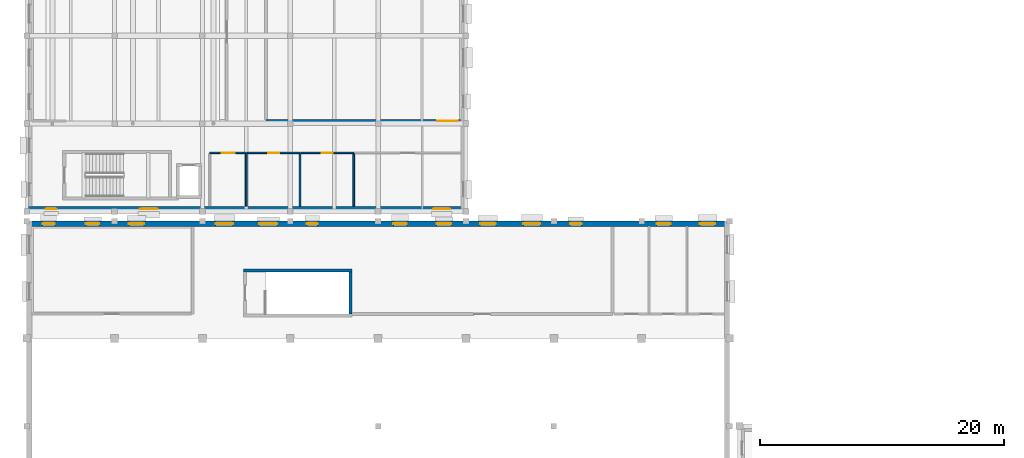
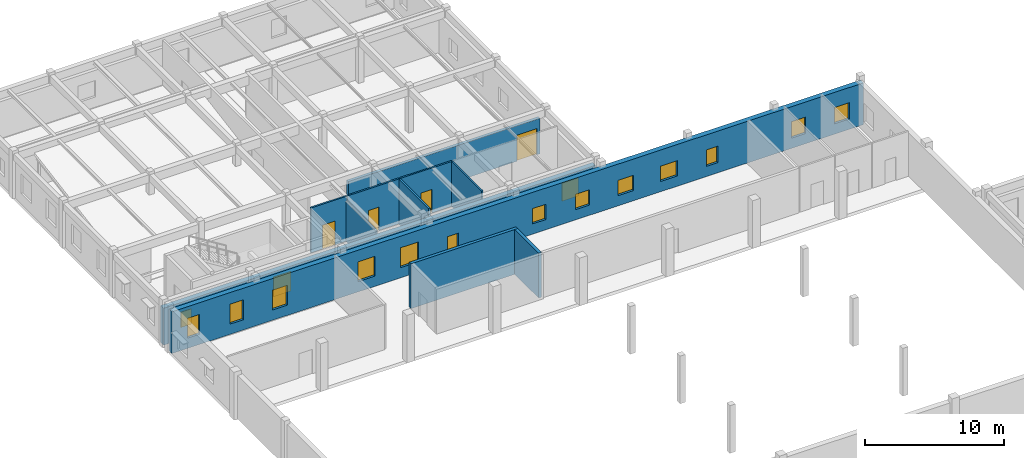
# One storey, part 27 of 49: 16 windows, 11 walls, 4 doors, 20 openings.
"""IFC4 building model written with IfcOpenShell, lengths in metres."""

from ifc_helpers import new_model, si_unit, direction, frame, frame_2d, origin, place, context, subcontext, project, spatial, rectangle, extrude, material, layer, layer_set, type_object, element, fill, save


model = new_model("IFC4")

# Units and contexts
model_context = context("Model", 3, precision=1e-05, world=origin(), true_north=direction((0.0, 1.0)))
body_context = subcontext(model_context, "Body", "Model", "MODEL_VIEW")
ifc_project = project(units=[si_unit("LENGTHUNIT", "METRE"), si_unit("AREAUNIT", "SQUARE_METRE"), si_unit("VOLUMEUNIT", "CUBIC_METRE"), si_unit("PLANEANGLEUNIT", "RADIAN"), si_unit("MASSUNIT", "GRAM", prefix="KILO")], contexts=[model_context])

# Site, building, storey
site_placement = place(None, origin())
site = spatial("IfcSite", under=ifc_project, at=site_placement, CompositionType="ELEMENT")
building_placement = place(site_placement, origin())
building = spatial("IfcBuilding", under=site, at=building_placement, Name="Bramveld Media Centre", CompositionType="ELEMENT")
storey_placement = place(building_placement, frame((0.0, 0.0, 9.60009765625)))
storey = spatial("IfcBuildingStorey", under=building, at=storey_placement, Name="L02", CompositionType="ELEMENT", Elevation=9.60009765625)

# Walls
ifc_material_1 = material(Name="Concrete C40/50 stair & lift core wall", Category="concrete")
ifc_layer_1 = layer(ifc_material_1, 0.25)
ifc_layer_set_1 = layer_set([ifc_layer_1], Name="Concrete C40/50 stair & lift core wall")
wall_type_1 = type_object("IfcWallType", Name="CWALL-SHEAR-250", PredefinedType="SHEAR", material=ifc_layer_set_1)
wall_1_placement = place(storey_placement, frame((26.64990234375, 34.375, 0.0), z_axis=(0.0, 0.0, 1.0), x_axis=(-1.0, 0.0, 0.0)))
element("IfcWall", 1, at=wall_1_placement, inside=storey, type_object=wall_type_1, Name="ST-05 L02 stair core shear wall N", PredefinedType="SHEAR", context=body_context, shape_type="SweptSolid", body=[
    extrude(rectangle(XDim=8.89990234375, YDim=0.25, at=frame_2d((4.449951171875, 0.0))), origin(), (0.0, 0.0, 1.0), 3.949951171875),
])
wall_2_placement = place(storey_placement, frame((26.52490234375, 30.800048828125, 0.0), z_axis=(0.0, 0.0, 1.0), x_axis=(0.0, 1.0, 0.0)))
element("IfcWall", 2, at=wall_2_placement, inside=storey, type_object=wall_type_1, Name="ST-05 L02 stair core shear wall E", PredefinedType="SHEAR", context=body_context, shape_type="SweptSolid", body=[
    extrude(rectangle(XDim=3.449951171875, YDim=0.25, at=frame_2d((1.72509765625, 0.0))), origin(), (0.0, 0.0, 1.0), 3.949951171875),
])

# Wall, openings, windows
ifc_material_2 = material(Name="Flemish red-brown clay facing brick cavity wall with concrete C35/45 inner leaf", Category="masonry")
ifc_layer_2 = layer(ifc_material_2, 0.419921875)
ifc_layer_set_2 = layer_set([ifc_layer_2], Name="Flemish red-brown clay facing brick cavity wall with concrete C35/45 inner leaf")
wall_type_2 = type_object("IfcWallType", Name="EW-BRK-420", PredefinedType="SOLIDWALL", material=ifc_layer_set_2)
wall_3_placement = place(storey_placement, frame((0.0, 38.18994140625, 0.0), z_axis=(0.0, 0.0, 1.0), x_axis=(1.0, 0.0, 0.0)))
wall_3 = element("IfcWall", 3, at=wall_3_placement, inside=storey, type_object=wall_type_2, Name="V2 L02 N facing brick exterior wall", PredefinedType="SOLIDWALL", context=body_context, shape_type="SweptSolid", body=[
    extrude(rectangle(XDim=57.60009765625, YDim=0.419921875, at=frame_2d((28.800048828125, 0.0))), origin(), (0.0, 0.0, 1.0), 3.6748046875),
])
opening_1_placement = place(wall_3_placement, frame((1.300048828125, 0.0, 0.89990234375)))
opening_1 = element("IfcOpeningElement", 4, at=opening_1_placement, cuts=wall_3, Name="Opening W-19", PredefinedType="OPENING", context=body_context, shape_type="SweptSolid", body=[
    extrude(rectangle(XDim=1.0, YDim=1.75, at=frame_2d((0.5, 0.875))), frame((0.0, 0.221923828125, 0.0), z_axis=(0.0, -1.0, 0.0), x_axis=(1.0, 0.0, 0.0)), (0.0, 0.0, 1.0), 0.44384765625),
])
opening_2_placement = place(wall_3_placement, frame((4.840087890625, 0.0, 0.89990234375)))
opening_2 = element("IfcOpeningElement", 5, at=opening_2_placement, cuts=wall_3, Name="Opening W-20", PredefinedType="OPENING", context=body_context, shape_type="SweptSolid", body=[
    extrude(rectangle(XDim=1.1201171875, YDim=1.75, at=frame_2d((0.56005859375, 0.875))), frame((0.0, 0.221923828125, 0.0), z_axis=(0.0, -1.0, 0.0), x_axis=(1.0, 0.0, 0.0)), (0.0, 0.0, 1.0), 0.44384765625),
])
opening_3_placement = place(wall_3_placement, frame((8.3798828125, 0.0, 0.89990234375)))
opening_3 = element("IfcOpeningElement", 6, at=opening_3_placement, cuts=wall_3, Name="Opening W-21", PredefinedType="OPENING", context=body_context, shape_type="SweptSolid", body=[
    extrude(rectangle(XDim=1.239990234375, YDim=1.75, at=frame_2d((0.6201171875, 0.875))), frame((0.0, 0.221923828125, 0.0), z_axis=(0.0, -1.0, 0.0), x_axis=(1.0, 0.0, 0.0)), (0.0, 0.0, 1.0), 0.44384765625),
])
opening_4_placement = place(wall_3_placement, frame((15.47998046875, 0.0, 0.89990234375)))
opening_4 = element("IfcOpeningElement", 7, at=opening_4_placement, cuts=wall_3, Name="Opening W-23", PredefinedType="OPENING", context=body_context, shape_type="SweptSolid", body=[
    extrude(rectangle(XDim=1.43994140625, YDim=1.75, at=frame_2d((0.719970703125, 0.875))), frame((0.0, 0.221923828125, 0.0), z_axis=(0.0, -1.0, 0.0), x_axis=(1.0, 0.0, 0.0)), (0.0, 0.0, 1.0), 0.44384765625),
])
opening_5_placement = place(wall_3_placement, frame((19.050048828125, 0.0, 0.89990234375)))
opening_5 = element("IfcOpeningElement", 8, at=opening_5_placement, cuts=wall_3, Name="Opening W-24", PredefinedType="OPENING", context=body_context, shape_type="SweptSolid", body=[
    extrude(rectangle(XDim=1.5, YDim=1.75, at=frame_2d((0.75, 0.875))), frame((0.0, 0.221923828125, 0.0), z_axis=(0.0, -1.0, 0.0), x_axis=(1.0, 0.0, 0.0)), (0.0, 0.0, 1.0), 0.44384765625),
])
opening_6_placement = place(wall_3_placement, frame((22.949951171875, 0.0, 0.89990234375)))
opening_6 = element("IfcOpeningElement", 9, at=opening_6_placement, cuts=wall_3, Name="Opening W-01", PredefinedType="OPENING", context=body_context, shape_type="SweptSolid", body=[
    extrude(rectangle(XDim=0.89990234375, YDim=1.35009765625, at=frame_2d((0.449951171875, 0.675048828125))), frame((0.0, 0.221923828125, 0.0), z_axis=(0.0, -1.0, 0.0), x_axis=(1.0, 0.0, 0.0)), (0.0, 0.0, 1.0), 0.44384765625),
])
opening_7_placement = place(wall_3_placement, frame((30.050048828125, 0.0, 0.89990234375)))
opening_7 = element("IfcOpeningElement", 10, at=opening_7_placement, cuts=wall_3, Name="Opening W-03", PredefinedType="OPENING", context=body_context, shape_type="SweptSolid", body=[
    extrude(rectangle(XDim=1.10009765625, YDim=1.35009765625, at=frame_2d((0.550048828125, 0.675048828125))), frame((0.0, 0.221923828125, 0.0), z_axis=(0.0, -1.0, 0.0), x_axis=(1.0, 0.0, 0.0)), (0.0, 0.0, 1.0), 0.44384765625),
])
opening_8_placement = place(wall_3_placement, frame((33.60009765625, 0.0, 0.89990234375)))
opening_8 = element("IfcOpeningElement", 11, at=opening_8_placement, cuts=wall_3, Name="Opening W-04", PredefinedType="OPENING", context=body_context, shape_type="SweptSolid", body=[
    extrude(rectangle(XDim=1.199951171875, YDim=1.35009765625, at=frame_2d((0.60009765625, 0.675048828125))), frame((0.0, 0.221923828125, 0.0), z_axis=(0.0, -1.0, 0.0), x_axis=(1.0, 0.0, 0.0)), (0.0, 0.0, 1.0), 0.44384765625),
])
opening_9_placement = place(wall_3_placement, frame((37.14990234375, 0.0, 0.89990234375)))
opening_9 = element("IfcOpeningElement", 12, at=opening_9_placement, cuts=wall_3, Name="Opening W-05", PredefinedType="OPENING", context=body_context, shape_type="SweptSolid", body=[
    extrude(rectangle(XDim=1.300048828125, YDim=1.35009765625, at=frame_2d((0.64990234375, 0.675048828125))), frame((0.0, 0.221923828125, 0.0), z_axis=(0.0, -1.0, 0.0), x_axis=(1.0, 0.0, 0.0)), (0.0, 0.0, 1.0), 0.44384765625),
])
opening_10_placement = place(wall_3_placement, frame((40.699951171875, 0.0, 0.89990234375)))
opening_10 = element("IfcOpeningElement", 13, at=opening_10_placement, cuts=wall_3, Name="Opening W-06", PredefinedType="OPENING", context=body_context, shape_type="SweptSolid", body=[
    extrude(rectangle(XDim=1.39990234375, YDim=1.35009765625, at=frame_2d((0.699951171875, 0.675048828125))), frame((0.0, 0.221923828125, 0.0), z_axis=(0.0, -1.0, 0.0), x_axis=(1.0, 0.0, 0.0)), (0.0, 0.0, 1.0), 0.44384765625),
])
opening_11_placement = place(wall_3_placement, frame((44.52490234375, 0.0, 0.89990234375)))
opening_11 = element("IfcOpeningElement", 14, at=opening_11_placement, cuts=wall_3, Name="Opening W-07", PredefinedType="OPENING", context=body_context, shape_type="SweptSolid", body=[
    extrude(rectangle(XDim=0.949951171875, YDim=1.449951171875, at=frame_2d((0.47509765625, 0.72509765625))), frame((0.0, 0.221923828125, 0.0), z_axis=(0.0, -1.0, 0.0), x_axis=(1.0, 0.0, 0.0)), (0.0, 0.0, 1.0), 0.44384765625),
])
opening_12_placement = place(wall_3_placement, frame((51.625, 0.0, 0.89990234375)))
opening_12 = element("IfcOpeningElement", 15, at=opening_12_placement, cuts=wall_3, Name="Opening W-09", PredefinedType="OPENING", context=body_context, shape_type="SweptSolid", body=[
    extrude(rectangle(XDim=1.14990234375, YDim=1.449951171875, at=frame_2d((0.574951171875, 0.72509765625))), frame((0.0, 0.221923828125, 0.0), z_axis=(0.0, -1.0, 0.0), x_axis=(1.0, 0.0, 0.0)), (0.0, 0.0, 1.0), 0.44384765625),
])
opening_13_placement = place(wall_3_placement, frame((55.175048828125, 0.0, 0.89990234375)))
opening_13 = element("IfcOpeningElement", 16, at=opening_13_placement, cuts=wall_3, Name="Opening W-10", PredefinedType="OPENING", context=body_context, shape_type="SweptSolid", body=[
    extrude(rectangle(XDim=1.25, YDim=1.449951171875, at=frame_2d((0.625, 0.72509765625))), frame((0.0, 0.221923828125, 0.0), z_axis=(0.0, -1.0, 0.0), x_axis=(1.0, 0.0, 0.0)), (0.0, 0.0, 1.0), 0.44384765625),
])
ifc_material_3 = material(Name="Thermally broken anodized bronze aluminium frame with triple acoustic glazing", Category="aluminium")
window_type_1 = type_object("IfcWindowType", Name="WIN-FAC-01", PartitioningType="SINGLE_PANEL", PredefinedType="WINDOW", material=ifc_material_3)
window_1_placement = place(opening_6_placement, origin())
window_1 = element("IfcWindow", 17, at=window_1_placement, inside=storey, type_object=window_type_1, Name="V2 L02 N acoustic facade window", OverallHeight=1.35009765625, OverallWidth=0.89990234375, PartitioningType="SINGLE_PANEL", PredefinedType="WINDOW", context=body_context, shape_type="SweptSolid", body=[
    extrude(rectangle(XDim=0.89990234375, YDim=1.35009765625, at=frame_2d((0.449951171875, 0.675048828125))), frame((0.0, 0.030029296875, 0.0), z_axis=(0.0, -1.0, 0.0), x_axis=(1.0, 0.0, 0.0)), (0.0, 0.0, 1.0), 0.06005859375),
])
fill(opening_6, window_1)
ifc_material_4 = material(Name="Thermally broken anodized bronze aluminium frame with triple acoustic glazing", Category="aluminium")
window_type_2 = type_object("IfcWindowType", Name="WIN-FAC-03", PartitioningType="SINGLE_PANEL", PredefinedType="WINDOW", material=ifc_material_4)
window_2_placement = place(opening_7_placement, origin())
window_2 = element("IfcWindow", 18, at=window_2_placement, inside=storey, type_object=window_type_2, Name="V2 L02 N acoustic facade window", OverallHeight=1.35009765625, OverallWidth=1.10009765625, PartitioningType="SINGLE_PANEL", PredefinedType="WINDOW", context=body_context, shape_type="SweptSolid", body=[
    extrude(rectangle(XDim=1.10009765625, YDim=1.35009765625, at=frame_2d((0.550048828125, 0.675048828125))), frame((0.0, 0.030029296875, 0.0), z_axis=(0.0, -1.0, 0.0), x_axis=(1.0, 0.0, 0.0)), (0.0, 0.0, 1.0), 0.06005859375),
])
fill(opening_7, window_2)
ifc_material_5 = material(Name="Thermally broken anodized bronze aluminium frame with triple acoustic glazing", Category="aluminium")
window_type_3 = type_object("IfcWindowType", Name="WIN-FAC-04", PartitioningType="SINGLE_PANEL", PredefinedType="WINDOW", material=ifc_material_5)
window_3_placement = place(opening_8_placement, origin())
window_3 = element("IfcWindow", 19, at=window_3_placement, inside=storey, type_object=window_type_3, Name="V2 L02 N acoustic facade window", OverallHeight=1.35009765625, OverallWidth=1.199951171875, PartitioningType="SINGLE_PANEL", PredefinedType="WINDOW", context=body_context, shape_type="SweptSolid", body=[
    extrude(rectangle(XDim=1.199951171875, YDim=1.35009765625, at=frame_2d((0.60009765625, 0.675048828125))), frame((0.0, 0.030029296875, 0.0), z_axis=(0.0, -1.0, 0.0), x_axis=(1.0, 0.0, 0.0)), (0.0, 0.0, 1.0), 0.06005859375),
])
fill(opening_8, window_3)
ifc_material_6 = material(Name="Thermally broken anodized bronze aluminium frame with triple acoustic glazing", Category="aluminium")
window_type_4 = type_object("IfcWindowType", Name="WIN-FAC-05", PartitioningType="SINGLE_PANEL", PredefinedType="WINDOW", material=ifc_material_6)
window_4_placement = place(opening_9_placement, origin())
window_4 = element("IfcWindow", 20, at=window_4_placement, inside=storey, type_object=window_type_4, Name="V2 L02 N acoustic facade window", OverallHeight=1.35009765625, OverallWidth=1.300048828125, PartitioningType="SINGLE_PANEL", PredefinedType="WINDOW", context=body_context, shape_type="SweptSolid", body=[
    extrude(rectangle(XDim=1.300048828125, YDim=1.35009765625, at=frame_2d((0.64990234375, 0.675048828125))), frame((0.0, 0.030029296875, 0.0), z_axis=(0.0, -1.0, 0.0), x_axis=(1.0, 0.0, 0.0)), (0.0, 0.0, 1.0), 0.06005859375),
])
fill(opening_9, window_4)
ifc_material_7 = material(Name="Thermally broken anodized bronze aluminium frame with triple acoustic glazing", Category="aluminium")
window_type_5 = type_object("IfcWindowType", Name="WIN-FAC-06", PartitioningType="SINGLE_PANEL", PredefinedType="WINDOW", material=ifc_material_7)
window_5_placement = place(opening_10_placement, origin())
window_5 = element("IfcWindow", 21, at=window_5_placement, inside=storey, type_object=window_type_5, Name="V2 L02 N acoustic facade window", OverallHeight=1.35009765625, OverallWidth=1.39990234375, PartitioningType="SINGLE_PANEL", PredefinedType="WINDOW", context=body_context, shape_type="SweptSolid", body=[
    extrude(rectangle(XDim=1.39990234375, YDim=1.35009765625, at=frame_2d((0.699951171875, 0.675048828125))), frame((0.0, 0.030029296875, 0.0), z_axis=(0.0, -1.0, 0.0), x_axis=(1.0, 0.0, 0.0)), (0.0, 0.0, 1.0), 0.06005859375),
])
fill(opening_10, window_5)
ifc_material_8 = material(Name="Thermally broken anodized bronze aluminium frame with triple acoustic glazing", Category="aluminium")
window_type_6 = type_object("IfcWindowType", Name="WIN-FAC-07", PartitioningType="SINGLE_PANEL", PredefinedType="WINDOW", material=ifc_material_8)
window_6_placement = place(opening_11_placement, origin())
window_6 = element("IfcWindow", 22, at=window_6_placement, inside=storey, type_object=window_type_6, Name="V2 L02 N acoustic facade window", OverallHeight=1.449951171875, OverallWidth=0.949951171875, PartitioningType="SINGLE_PANEL", PredefinedType="WINDOW", context=body_context, shape_type="SweptSolid", body=[
    extrude(rectangle(XDim=0.949951171875, YDim=1.449951171875, at=frame_2d((0.47509765625, 0.72509765625))), frame((0.0, 0.030029296875, 0.0), z_axis=(0.0, -1.0, 0.0), x_axis=(1.0, 0.0, 0.0)), (0.0, 0.0, 1.0), 0.06005859375),
])
fill(opening_11, window_6)
ifc_material_9 = material(Name="Thermally broken anodized bronze aluminium frame with triple acoustic glazing", Category="aluminium")
window_type_7 = type_object("IfcWindowType", Name="WIN-FAC-09", PartitioningType="SINGLE_PANEL", PredefinedType="WINDOW", material=ifc_material_9)
window_7_placement = place(opening_12_placement, origin())
window_7 = element("IfcWindow", 23, at=window_7_placement, inside=storey, type_object=window_type_7, Name="V2 L02 N acoustic facade window", OverallHeight=1.449951171875, OverallWidth=1.14990234375, PartitioningType="SINGLE_PANEL", PredefinedType="WINDOW", context=body_context, shape_type="SweptSolid", body=[
    extrude(rectangle(XDim=1.14990234375, YDim=1.449951171875, at=frame_2d((0.574951171875, 0.72509765625))), frame((0.0, 0.030029296875, 0.0), z_axis=(0.0, -1.0, 0.0), x_axis=(1.0, 0.0, 0.0)), (0.0, 0.0, 1.0), 0.06005859375),
])
fill(opening_12, window_7)
ifc_material_10 = material(Name="Thermally broken anodized bronze aluminium frame with triple acoustic glazing", Category="aluminium")
window_type_8 = type_object("IfcWindowType", Name="WIN-FAC-10", PartitioningType="SINGLE_PANEL", PredefinedType="WINDOW", material=ifc_material_10)
window_8_placement = place(opening_13_placement, origin())
window_8 = element("IfcWindow", 24, at=window_8_placement, inside=storey, type_object=window_type_8, Name="V2 L02 N acoustic facade window", OverallHeight=1.449951171875, OverallWidth=1.25, PartitioningType="SINGLE_PANEL", PredefinedType="WINDOW", context=body_context, shape_type="SweptSolid", body=[
    extrude(rectangle(XDim=1.25, YDim=1.449951171875, at=frame_2d((0.625, 0.72509765625))), frame((0.0, 0.030029296875, 0.0), z_axis=(0.0, -1.0, 0.0), x_axis=(1.0, 0.0, 0.0)), (0.0, 0.0, 1.0), 0.06005859375),
])
fill(opening_13, window_8)
ifc_material_11 = material(Name="Thermally broken anodized bronze aluminium frame with triple acoustic glazing", Category="aluminium")
window_type_9 = type_object("IfcWindowType", Name="WIN-FAC-19", PartitioningType="SINGLE_PANEL", PredefinedType="WINDOW", material=ifc_material_11)
window_9_placement = place(opening_1_placement, origin())
window_9 = element("IfcWindow", 25, at=window_9_placement, inside=storey, type_object=window_type_9, Name="V2 L02 N acoustic facade window", OverallHeight=1.75, OverallWidth=1.0, PartitioningType="SINGLE_PANEL", PredefinedType="WINDOW", context=body_context, shape_type="SweptSolid", body=[
    extrude(rectangle(XDim=1.0, YDim=1.75, at=frame_2d((0.5, 0.875))), frame((0.0, 0.030029296875, 0.0), z_axis=(0.0, -1.0, 0.0), x_axis=(1.0, 0.0, 0.0)), (0.0, 0.0, 1.0), 0.06005859375),
])
fill(opening_1, window_9)
ifc_material_12 = material(Name="Thermally broken anodized bronze aluminium frame with triple acoustic glazing", Category="aluminium")
window_type_10 = type_object("IfcWindowType", Name="WIN-FAC-20", PartitioningType="SINGLE_PANEL", PredefinedType="WINDOW", material=ifc_material_12)
window_10_placement = place(opening_2_placement, origin())
window_10 = element("IfcWindow", 26, at=window_10_placement, inside=storey, type_object=window_type_10, Name="V2 L02 N acoustic facade window", OverallHeight=1.75, OverallWidth=1.1201171875, PartitioningType="SINGLE_PANEL", PredefinedType="WINDOW", context=body_context, shape_type="SweptSolid", body=[
    extrude(rectangle(XDim=1.1201171875, YDim=1.75, at=frame_2d((0.56005859375, 0.875))), frame((0.0, 0.030029296875, 0.0), z_axis=(0.0, -1.0, 0.0), x_axis=(1.0, 0.0, 0.0)), (0.0, 0.0, 1.0), 0.06005859375),
])
fill(opening_2, window_10)
ifc_material_13 = material(Name="Thermally broken anodized bronze aluminium frame with triple acoustic glazing", Category="aluminium")
window_type_11 = type_object("IfcWindowType", Name="WIN-FAC-21", PartitioningType="SINGLE_PANEL", PredefinedType="WINDOW", material=ifc_material_13)
window_11_placement = place(opening_3_placement, origin())
window_11 = element("IfcWindow", 27, at=window_11_placement, inside=storey, type_object=window_type_11, Name="V2 L02 N acoustic facade window", OverallHeight=1.75, OverallWidth=1.239990234375, PartitioningType="SINGLE_PANEL", PredefinedType="WINDOW", context=body_context, shape_type="SweptSolid", body=[
    extrude(rectangle(XDim=1.239990234375, YDim=1.75, at=frame_2d((0.6201171875, 0.875))), frame((0.0, 0.030029296875, 0.0), z_axis=(0.0, -1.0, 0.0), x_axis=(1.0, 0.0, 0.0)), (0.0, 0.0, 1.0), 0.06005859375),
])
fill(opening_3, window_11)
ifc_material_14 = material(Name="Thermally broken anodized bronze aluminium frame with triple acoustic glazing", Category="aluminium")
window_type_12 = type_object("IfcWindowType", Name="WIN-FAC-23", PartitioningType="SINGLE_PANEL", PredefinedType="WINDOW", material=ifc_material_14)
window_12_placement = place(opening_4_placement, origin())
window_12 = element("IfcWindow", 28, at=window_12_placement, inside=storey, type_object=window_type_12, Name="V2 L02 N acoustic facade window", OverallHeight=1.75, OverallWidth=1.43994140625, PartitioningType="SINGLE_PANEL", PredefinedType="WINDOW", context=body_context, shape_type="SweptSolid", body=[
    extrude(rectangle(XDim=1.43994140625, YDim=1.75, at=frame_2d((0.719970703125, 0.875))), frame((0.0, 0.030029296875, 0.0), z_axis=(0.0, -1.0, 0.0), x_axis=(1.0, 0.0, 0.0)), (0.0, 0.0, 1.0), 0.06005859375),
])
fill(opening_4, window_12)
ifc_material_15 = material(Name="Thermally broken anodized bronze aluminium frame with triple acoustic glazing", Category="aluminium")
window_type_13 = type_object("IfcWindowType", Name="WIN-FAC-24", PartitioningType="SINGLE_PANEL", PredefinedType="WINDOW", material=ifc_material_15)
window_13_placement = place(opening_5_placement, origin())
window_13 = element("IfcWindow", 29, at=window_13_placement, inside=storey, type_object=window_type_13, Name="V2 L02 N acoustic facade window", OverallHeight=1.75, OverallWidth=1.5, PartitioningType="SINGLE_PANEL", PredefinedType="WINDOW", context=body_context, shape_type="SweptSolid", body=[
    extrude(rectangle(XDim=1.5, YDim=1.75, at=frame_2d((0.75, 0.875))), frame((0.0, 0.030029296875, 0.0), z_axis=(0.0, -1.0, 0.0), x_axis=(1.0, 0.0, 0.0)), (0.0, 0.0, 1.0), 0.06005859375),
])
fill(opening_5, window_13)

wall_4_placement = place(storey_placement, frame((36.0, 39.409912109375, 0.0), z_axis=(0.0, 0.0, 1.0), x_axis=(-1.0, 0.0, 0.0)))
wall_4 = element("IfcWall", 30, at=wall_4_placement, inside=storey, type_object=wall_type_2, Name="V3 L02 S facing brick exterior wall", PredefinedType="SOLIDWALL", context=body_context, shape_type="SweptSolid", body=[
    extrude(rectangle(XDim=36.0, YDim=0.419921875, at=frame_2d((18.0, 0.0))), origin(), (0.0, 0.0, 1.0), 3.244873046875),
])
opening_14_placement = place(wall_4_placement, frame((1.31005859375, 0.0, 0.89990234375)))
opening_14 = element("IfcOpeningElement", 31, at=opening_14_placement, cuts=wall_4, Name="Opening W-17", PredefinedType="OPENING", context=body_context, shape_type="SweptSolid", body=[
    extrude(rectangle(XDim=1.3798828125, YDim=1.60009765625, at=frame_2d((0.68994140625, 0.800048828125))), frame((0.0, 0.221923828125, 0.0), z_axis=(0.0, -1.0, 0.0), x_axis=(1.0, 0.0, 0.0)), (0.0, 0.0, 1.0), 0.44384765625),
])
opening_15_placement = place(wall_4_placement, frame((25.280029296875, 0.0, 0.89990234375)))
opening_15 = element("IfcOpeningElement", 32, at=opening_15_placement, cuts=wall_4, Name="Opening W-23", PredefinedType="OPENING", context=body_context, shape_type="SweptSolid", body=[
    extrude(rectangle(XDim=1.43994140625, YDim=1.75, at=frame_2d((0.719970703125, 0.875))), frame((0.0, 0.221923828125, 0.0), z_axis=(0.0, -1.0, 0.0), x_axis=(1.0, 0.0, 0.0)), (0.0, 0.0, 1.0), 0.44384765625),
])
opening_16_placement = place(wall_4_placement, frame((33.550048828125, 0.0, 0.89990234375)))
opening_16 = element("IfcOpeningElement", 33, at=opening_16_placement, cuts=wall_4, Name="Opening W-01", PredefinedType="OPENING", context=body_context, shape_type="SweptSolid", body=[
    extrude(rectangle(XDim=0.89990234375, YDim=1.35009765625, at=frame_2d((0.449951171875, 0.675048828125))), frame((0.0, 0.221923828125, 0.0), z_axis=(0.0, -1.0, 0.0), x_axis=(1.0, 0.0, 0.0)), (0.0, 0.0, 1.0), 0.44384765625),
])
window_14_placement = place(opening_16_placement, origin())
window_14 = element("IfcWindow", 34, at=window_14_placement, inside=storey, type_object=window_type_1, Name="V3 L02 S acoustic facade window", OverallHeight=1.35009765625, OverallWidth=0.89990234375, PartitioningType="SINGLE_PANEL", PredefinedType="WINDOW", context=body_context, shape_type="SweptSolid", body=[
    extrude(rectangle(XDim=0.89990234375, YDim=1.35009765625, at=frame_2d((0.449951171875, 0.675048828125))), frame((0.0, 0.030029296875, 0.0), z_axis=(0.0, -1.0, 0.0), x_axis=(1.0, 0.0, 0.0)), (0.0, 0.0, 1.0), 0.06005859375),
])
fill(opening_16, window_14)
ifc_material_16 = material(Name="Thermally broken anodized bronze aluminium frame with triple acoustic glazing", Category="aluminium")
window_type_14 = type_object("IfcWindowType", Name="WIN-FAC-17", PartitioningType="SINGLE_PANEL", PredefinedType="WINDOW", material=ifc_material_16)
window_15_placement = place(opening_14_placement, origin())
window_15 = element("IfcWindow", 35, at=window_15_placement, inside=storey, type_object=window_type_14, Name="V3 L02 S acoustic facade window", OverallHeight=1.60009765625, OverallWidth=1.3798828125, PartitioningType="SINGLE_PANEL", PredefinedType="WINDOW", context=body_context, shape_type="SweptSolid", body=[
    extrude(rectangle(XDim=1.3798828125, YDim=1.60009765625, at=frame_2d((0.68994140625, 0.800048828125))), frame((0.0, 0.030029296875, 0.0), z_axis=(0.0, -1.0, 0.0), x_axis=(1.0, 0.0, 0.0)), (0.0, 0.0, 1.0), 0.06005859375),
])
fill(opening_14, window_15)
window_16_placement = place(opening_15_placement, origin())
window_16 = element("IfcWindow", 36, at=window_16_placement, inside=storey, type_object=window_type_12, Name="V3 L02 S acoustic facade window", OverallHeight=1.75, OverallWidth=1.43994140625, PartitioningType="SINGLE_PANEL", PredefinedType="WINDOW", context=body_context, shape_type="SweptSolid", body=[
    extrude(rectangle(XDim=1.43994140625, YDim=1.75, at=frame_2d((0.719970703125, 0.875))), frame((0.0, 0.030029296875, 0.0), z_axis=(0.0, -1.0, 0.0), x_axis=(1.0, 0.0, 0.0)), (0.0, 0.0, 1.0), 0.06005859375),
])
fill(opening_15, window_16)

# Wall, opening, door
ifc_material_17 = material(Name="Double-stud acoustic gypsum & mineral-wool studio wall", Category="gypsum")
ifc_layer_3 = layer(ifc_material_17, 0.239990234375)
ifc_layer_set_3 = layer_set([ifc_layer_3], Name="Double-stud acoustic gypsum & mineral-wool studio wall")
wall_type_3 = type_object("IfcWallType", Name="IW-ACOU-240", PredefinedType="PARTITIONING", material=ifc_layer_set_3)
wall_5_placement = place(storey_placement, frame((19.60009765625, 46.60009765625, 0.0), z_axis=(0.0, 0.0, 1.0), x_axis=(1.0, 0.0, 0.0)))
wall_5 = element("IfcWall", 37, at=wall_5_placement, inside=storey, type_object=wall_type_3, Name="Screen 6 Experimental Cinema partition wall", PredefinedType="PARTITIONING", context=body_context, shape_type="SweptSolid", body=[
    extrude(rectangle(XDim=15.969970703125, YDim=0.239990234375, at=frame_2d((7.98486328125, 0.0))), origin(), (0.0, 0.0, 1.0), 3.125),
])
opening_17_placement = place(wall_5_placement, frame((14.0400390625, 0.0, 0.0)))
opening_17 = element("IfcOpeningElement", 38, at=opening_17_placement, cuts=wall_5, Name="Opening D-02-107", PredefinedType="OPENING", context=body_context, shape_type="SweptSolid", body=[
    extrude(rectangle(XDim=1.679931640625, YDim=2.300048828125, at=frame_2d((0.83984375, 1.14990234375))), frame((0.0, 0.1318359375, 0.0), z_axis=(0.0, -1.0, 0.0), x_axis=(1.0, 0.0, 0.0)), (0.0, 0.0, 1.0), 0.263916015625),
])
ifc_material_18 = material(Name="Fire-rated acoustic timber & steel composite door", Category="steel")
door_type_1 = type_object("IfcDoorType", Name="DR-HALL-1680", OperationType="NOTDEFINED", PredefinedType="DOOR", material=ifc_material_18)
door_1_placement = place(opening_17_placement, origin())
door_1 = element("IfcDoor", 39, at=door_1_placement, inside=storey, type_object=door_type_1, Name="Screen 6 Experimental Cinema entrance door", OperationType="DOUBLE_DOOR_SINGLE_SWING", OverallHeight=2.300048828125, OverallWidth=1.679931640625, PredefinedType="DOOR", context=body_context, shape_type="SweptSolid", body=[
    extrude(rectangle(XDim=1.679931640625, YDim=2.300048828125, at=frame_2d((0.83984375, 1.14990234375))), frame((0.0, 0.02490234375, 0.0), z_axis=(0.0, -1.0, 0.0), x_axis=(1.0, 0.0, 0.0)), (0.0, 0.0, 1.0), 0.050048828125),
])
fill(opening_17, door_1)

ifc_material_19 = material(Name="Moisture-resistant cement-board sanitary partition", Category="gypsum")
ifc_layer_4 = layer(ifc_material_19, 0.139892578125)
ifc_layer_set_4 = layer_set([ifc_layer_4], Name="Moisture-resistant cement-board sanitary partition")
wall_type_4 = type_object("IfcWallType", Name="IW-WET-140", PredefinedType="PARTITIONING", material=ifc_layer_set_4)
wall_6_placement = place(storey_placement, frame((15.0, 44.0, 0.0), z_axis=(0.0, 0.0, 1.0), x_axis=(1.0, 0.0, 0.0)))
wall_6 = element("IfcWall", 40, at=wall_6_placement, inside=storey, type_object=wall_type_4, Name="Accessible WC partition wall", PredefinedType="PARTITIONING", context=body_context, shape_type="SweptSolid", body=[
    extrude(rectangle(XDim=3.0, YDim=0.139892578125, at=frame_2d((1.5, 0.0))), origin(), (0.0, 0.0, 1.0), 3.949951171875),
])
opening_18_placement = place(wall_6_placement, frame((0.969970703125, 0.0, 0.0)))
opening_18 = element("IfcOpeningElement", 41, at=opening_18_placement, cuts=wall_6, Name="Opening D-02-109", PredefinedType="OPENING", context=body_context, shape_type="SweptSolid", body=[
    extrude(rectangle(XDim=1.06005859375, YDim=2.10009765625, at=frame_2d((0.530029296875, 1.050048828125))), frame((0.0, 0.08203125, 0.0), z_axis=(0.0, -1.0, 0.0), x_axis=(1.0, 0.0, 0.0)), (0.0, 0.0, 1.0), 0.163818359375),
])
ifc_material_20 = material(Name="Solid-core European oak acoustic timber leaf in steel frame", Category="steel")
door_type_2 = type_object("IfcDoorType", Name="DR-WC-PMR-1060", OperationType="NOTDEFINED", PredefinedType="DOOR", material=ifc_material_20)
door_2_placement = place(opening_18_placement, origin())
door_2 = element("IfcDoor", 42, at=door_2_placement, inside=storey, type_object=door_type_2, Name="Accessible WC entrance door", OperationType="SINGLE_SWING_RIGHT", OverallHeight=2.10009765625, OverallWidth=1.06005859375, PredefinedType="DOOR", context=body_context, shape_type="SweptSolid", body=[
    extrude(rectangle(XDim=1.06005859375, YDim=2.10009765625, at=frame_2d((0.530029296875, 1.050048828125))), frame((0.0, 0.02490234375, 0.0), z_axis=(0.0, -1.0, 0.0), x_axis=(1.0, 0.0, 0.0)), (0.0, 0.0, 1.0), 0.050048828125),
])
fill(opening_18, door_2)

# Wall
wall_7_placement = place(storey_placement, frame((18.0, 39.6298828125, 0.0), z_axis=(0.0, 0.0, 1.0), x_axis=(0.0, 1.0, 0.0)))
element("IfcWall", 43, at=wall_7_placement, inside=storey, type_object=wall_type_4, Name="Accessible WC partition wall", PredefinedType="PARTITIONING", context=body_context, shape_type="SweptSolid", body=[
    extrude(rectangle(XDim=4.2900390625, YDim=0.139892578125, at=frame_2d((2.14501953125, 0.0))), origin(), (0.0, 0.0, 1.0), 3.534912109375),
])

# Wall, opening, door
wall_8_placement = place(storey_placement, frame((18.080078125, 44.0, 0.0), z_axis=(0.0, 0.0, 1.0), x_axis=(1.0, 0.0, 0.0)))
wall_8 = element("IfcWall", 44, at=wall_8_placement, inside=storey, type_object=wall_type_4, Name="Male WC partition wall", PredefinedType="PARTITIONING", context=body_context, shape_type="SweptSolid", body=[
    extrude(rectangle(XDim=4.31982421875, YDim=0.139892578125, at=frame_2d((2.159912109375, 0.0))), origin(), (0.0, 0.0, 1.0), 3.949951171875),
])
opening_19_placement = place(wall_8_placement, frame((1.715087890625, 0.0, 0.0)))
opening_19 = element("IfcOpeningElement", 45, at=opening_19_placement, cuts=wall_8, Name="Opening D-02-110", PredefinedType="OPENING", context=body_context, shape_type="SweptSolid", body=[
    extrude(rectangle(XDim=0.889892578125, YDim=2.050048828125, at=frame_2d((0.44482421875, 1.02490234375))), frame((0.0, 0.08203125, 0.0), z_axis=(0.0, -1.0, 0.0), x_axis=(1.0, 0.0, 0.0)), (0.0, 0.0, 1.0), 0.163818359375),
])
ifc_material_21 = material(Name="Solid-core European oak acoustic timber leaf in steel frame", Category="steel")
door_type_3 = type_object("IfcDoorType", Name="DR-WC-0890", OperationType="NOTDEFINED", PredefinedType="DOOR", material=ifc_material_21)
door_3_placement = place(opening_19_placement, origin())
door_3 = element("IfcDoor", 46, at=door_3_placement, inside=storey, type_object=door_type_3, Name="Male WC entrance door", OperationType="SINGLE_SWING_LEFT", OverallHeight=2.050048828125, OverallWidth=0.889892578125, PredefinedType="DOOR", context=body_context, shape_type="SweptSolid", body=[
    extrude(rectangle(XDim=0.889892578125, YDim=2.050048828125, at=frame_2d((0.44482421875, 1.02490234375))), frame((0.0, 0.02490234375, 0.0), z_axis=(0.0, -1.0, 0.0), x_axis=(1.0, 0.0, 0.0)), (0.0, 0.0, 1.0), 0.050048828125),
])
fill(opening_19, door_3)

# Wall
wall_9_placement = place(storey_placement, frame((22.39990234375, 39.6298828125, 0.0), z_axis=(0.0, 0.0, 1.0), x_axis=(0.0, 1.0, 0.0)))
element("IfcWall", 47, at=wall_9_placement, inside=storey, type_object=wall_type_4, Name="Male WC partition wall", PredefinedType="PARTITIONING", context=body_context, shape_type="SweptSolid", body=[
    extrude(rectangle(XDim=4.2900390625, YDim=0.139892578125, at=frame_2d((2.14501953125, 0.0))), origin(), (0.0, 0.0, 1.0), 3.949951171875),
])

# Wall, opening, door
wall_10_placement = place(storey_placement, frame((22.47998046875, 44.0, 0.0), z_axis=(0.0, 0.0, 1.0), x_axis=(1.0, 0.0, 0.0)))
wall_10 = element("IfcWall", 48, at=wall_10_placement, inside=storey, type_object=wall_type_4, Name="Female WC partition wall", PredefinedType="PARTITIONING", context=body_context, shape_type="SweptSolid", body=[
    extrude(rectangle(XDim=4.320068359375, YDim=0.139892578125, at=frame_2d((2.16015625, 0.0))), origin(), (0.0, 0.0, 1.0), 3.949951171875),
])
opening_20_placement = place(wall_10_placement, frame((1.705078125, 0.0, 0.0)))
opening_20 = element("IfcOpeningElement", 49, at=opening_20_placement, cuts=wall_10, Name="Opening D-02-111", PredefinedType="OPENING", context=body_context, shape_type="SweptSolid", body=[
    extrude(rectangle(XDim=0.909912109375, YDim=2.06005859375, at=frame_2d((0.455078125, 1.030029296875))), frame((0.0, 0.08203125, 0.0), z_axis=(0.0, -1.0, 0.0), x_axis=(1.0, 0.0, 0.0)), (0.0, 0.0, 1.0), 0.163818359375),
])
ifc_material_22 = material(Name="Solid-core European oak acoustic timber leaf in steel frame", Category="steel")
door_type_4 = type_object("IfcDoorType", Name="DR-WC-0910", OperationType="NOTDEFINED", PredefinedType="DOOR", material=ifc_material_22)
door_4_placement = place(opening_20_placement, origin())
door_4 = element("IfcDoor", 50, at=door_4_placement, inside=storey, type_object=door_type_4, Name="Female WC entrance door", OperationType="SINGLE_SWING_RIGHT", OverallHeight=2.06005859375, OverallWidth=0.909912109375, PredefinedType="DOOR", context=body_context, shape_type="SweptSolid", body=[
    extrude(rectangle(XDim=0.909912109375, YDim=2.06005859375, at=frame_2d((0.455078125, 1.030029296875))), frame((0.0, 0.02490234375, 0.0), z_axis=(0.0, -1.0, 0.0), x_axis=(1.0, 0.0, 0.0)), (0.0, 0.0, 1.0), 0.050048828125),
])
fill(opening_20, door_4)

# Wall
wall_11_placement = place(storey_placement, frame((26.800048828125, 39.6298828125, 0.0), z_axis=(0.0, 0.0, 1.0), x_axis=(0.0, 1.0, 0.0)))
element("IfcWall", 51, at=wall_11_placement, inside=storey, type_object=wall_type_4, Name="Female WC partition wall", PredefinedType="PARTITIONING", context=body_context, shape_type="SweptSolid", body=[
    extrude(rectangle(XDim=4.2900390625, YDim=0.139892578125, at=frame_2d((2.14501953125, 0.0))), origin(), (0.0, 0.0, 1.0), 3.949951171875),
])

save(model, "model.ifc")
